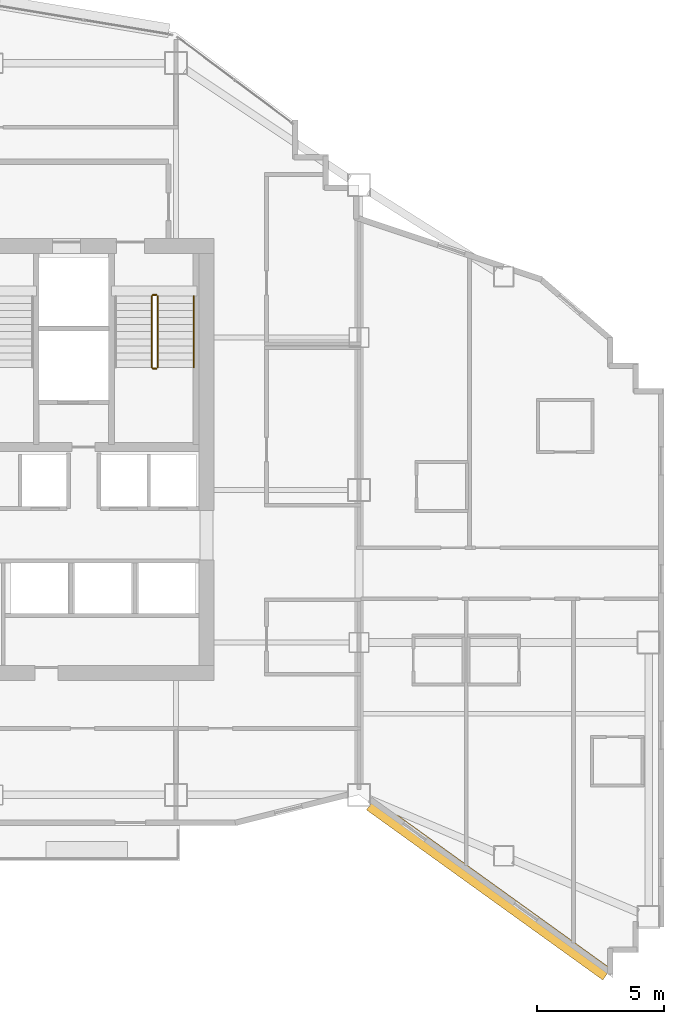
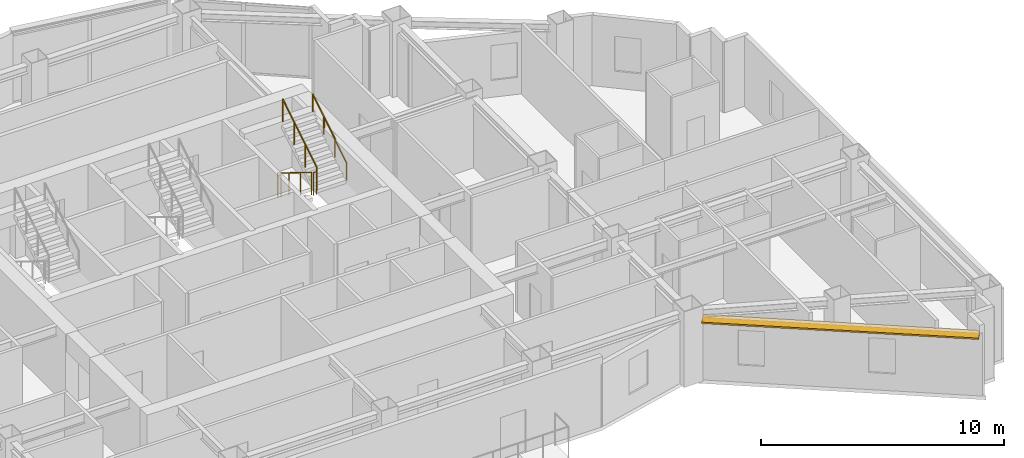
# One storey, part 11 of 12: 5 railings, 1 shading device.
"""IFC4 building model written with IfcOpenShell, lengths in metres."""

from ifc_helpers import new_model, si_unit, direction, frame, origin, origin_2d, place, context, subcontext, project, spatial, rectangle, circle, extrude, material, layer, layer_set, type_object, element, save


model = new_model("IFC4")

# Units and contexts
model_context = context("Model", 3, precision=1e-05, world=origin(), true_north=direction((0.0, 1.0)))
body_context = subcontext(model_context, "Body", "Model", "MODEL_VIEW")
ifc_project = project(units=[si_unit("LENGTHUNIT", "METRE"), si_unit("AREAUNIT", "SQUARE_METRE"), si_unit("VOLUMEUNIT", "CUBIC_METRE"), si_unit("PLANEANGLEUNIT", "RADIAN"), si_unit("MASSUNIT", "GRAM", prefix="KILO")], contexts=[model_context])

# Site, building, storey
site_placement = place(None, origin())
site = spatial("IfcSite", under=ifc_project, at=site_placement, CompositionType="ELEMENT")
building_placement = place(site_placement, origin())
building = spatial("IfcBuilding", under=site, at=building_placement, Name="Haolan Belvedere Tower", CompositionType="ELEMENT")
storey_placement = place(building_placement, frame((0.0, 0.0, 203.199951171875)))
storey = spatial("IfcBuildingStorey", under=building, at=storey_placement, Name="L51", CompositionType="ELEMENT", Elevation=203.199951171875)

# Railings
ifc_material_1 = material(Name="Brushed stainless steel 304", Category="steel")
railing_type_1 = type_object("IfcRailingType", Name="RL-STAIR-GRD-1150", PredefinedType="GUARDRAIL", material=ifc_material_1)
railing_1_placement = place(storey_placement, frame((44.639892578125, 41.22998046875, 0.1728515625)))
element("IfcRailing", 1, at=railing_1_placement, inside=storey, type_object=railing_type_1, Name="L51 ST2 stair guard 1", PredefinedType="GUARDRAIL", context=body_context, shape_type="SweptSolid", body=[
    extrude(circle(Radius=0.02392578125, at=origin_2d()), frame((0.0, 0.0, 1.1259765625), z_axis=(0.0, -0.851089632645, 0.525020415988), x_axis=(1.0, 0.0, 0.0)), (0.0, 0.0, 1.0), 3.2900390625),
    extrude(circle(Radius=0.02099609375, at=origin_2d()), origin(), (0.0, 0.0, 1.0), 1.101806640625),
    extrude(circle(Radius=0.02099609375, at=origin_2d()), frame((0.0, -0.933349609375, 0.57568359375)), (0.0, 0.0, 1.0), 1.101806640625),
    extrude(circle(Radius=0.02099609375, at=origin_2d()), frame((0.0, -1.86669921875, 1.151611328125)), (0.0, 0.0, 1.0), 1.101806640625),
    extrude(circle(Radius=0.02099609375, at=origin_2d()), frame((0.0, -2.800048828125, 1.727294921875)), (0.0, 0.0, 1.0), 1.101806640625),
])
railing_2_placement = place(storey_placement, frame((44.68994140625, 38.3798828125, 1.900146484375)))
element("IfcRailing", 2, at=railing_2_placement, inside=storey, type_object=railing_type_1, Name="L51 ST2 stair guard 2", PredefinedType="GUARDRAIL", context=body_context, shape_type="SweptSolid", body=[
    extrude(circle(Radius=0.02392578125, at=origin_2d()), frame((0.0, 0.0, 1.1259765625), z_axis=(1.0, 0.0, 0.0), x_axis=(0.0, 1.0, 0.0)), (0.0, 0.0, 1.0), 0.14013671875),
    extrude(circle(Radius=0.02099609375, at=origin_2d()), origin(), (0.0, 0.0, 1.0), 1.101806640625),
    extrude(circle(Radius=0.02099609375, at=origin_2d()), frame((0.14013671875, 0.0, 0.0)), (0.0, 0.0, 1.0), 1.101806640625),
])
railing_3_placement = place(storey_placement, frame((44.8798828125, 38.429931640625, 2.07275390625)))
element("IfcRailing", 3, at=railing_3_placement, inside=storey, type_object=railing_type_1, Name="L51 ST2 stair guard 3", PredefinedType="GUARDRAIL", context=body_context, shape_type="SweptSolid", body=[
    extrude(circle(Radius=0.02392578125, at=origin_2d()), frame((0.0, 0.0, 1.1259765625), z_axis=(0.0, 0.851089632645, 0.525020415988), x_axis=(-1.0, 0.0, 0.0)), (0.0, 0.0, 1.0), 3.2900390625),
    extrude(circle(Radius=0.02099609375, at=origin_2d()), origin(), (0.0, 0.0, 1.0), 1.101806640625),
    extrude(circle(Radius=0.02099609375, at=origin_2d()), frame((0.0, 0.933349609375, 0.57568359375)), (0.0, 0.0, 1.0), 1.101806640625),
    extrude(circle(Radius=0.02099609375, at=origin_2d()), frame((0.0, 1.86669921875, 1.151611328125)), (0.0, 0.0, 1.0), 1.101806640625),
    extrude(circle(Radius=0.02099609375, at=origin_2d()), frame((0.0, 2.800048828125, 1.727294921875)), (0.0, 0.0, 1.0), 1.101806640625),
])
railing_4_placement = place(storey_placement, frame((44.68994140625, 41.280029296875, 0.0)))
element("IfcRailing", 4, at=railing_4_placement, inside=storey, type_object=railing_type_1, Name="L51 ST2 stair guard 4", PredefinedType="GUARDRAIL", context=body_context, shape_type="SweptSolid", body=[
    extrude(circle(Radius=0.02392578125, at=origin_2d()), frame((0.0, 0.0, 1.1259765625), z_axis=(1.0, 0.0, 0.0), x_axis=(0.0, 1.0, 0.0)), (0.0, 0.0, 1.0), 0.14013671875),
    extrude(circle(Radius=0.02099609375, at=origin_2d()), origin(), (0.0, 0.0, 1.0), 1.101806640625),
    extrude(circle(Radius=0.02099609375, at=origin_2d()), frame((0.14013671875, 0.0, 0.0)), (0.0, 0.0, 1.0), 1.101806640625),
])
railing_type_2 = type_object("IfcRailingType", Name="RL-STAIR-HND-900", PredefinedType="HANDRAIL", material=ifc_material_1)
railing_5_placement = place(storey_placement, frame((46.300048828125, 38.429931640625, 2.07275390625)))
element("IfcRailing", 5, at=railing_5_placement, inside=storey, type_object=railing_type_2, Name="L51 ST2 stair handrail 2", PredefinedType="HANDRAIL", context=body_context, shape_type="SweptSolid", body=[
    extrude(circle(Radius=0.02392578125, at=origin_2d()), frame((0.0, 0.0, 0.8759765625), z_axis=(0.0, 0.851089632645, 0.525020415988), x_axis=(-1.0, 0.0, 0.0)), (0.0, 0.0, 1.0), 3.2900390625),
    extrude(circle(Radius=0.02099609375, at=origin_2d()), origin(), (0.0, 0.0, 1.0), 0.851806640625),
    extrude(circle(Radius=0.02099609375, at=origin_2d()), frame((0.0, 0.933349609375, 0.57568359375)), (0.0, 0.0, 1.0), 0.851806640625),
    extrude(circle(Radius=0.02099609375, at=origin_2d()), frame((0.0, 1.86669921875, 1.151611328125)), (0.0, 0.0, 1.0), 0.851806640625),
    extrude(circle(Radius=0.02099609375, at=origin_2d()), frame((0.0, 2.800048828125, 1.727294921875)), (0.0, 0.0, 1.0), 0.851806640625),
])

# Shading device
ifc_material_2 = material(Name="Anodised champagne-silver aluminium 6063-T6", Category="aluminium")
ifc_layer = layer(ifc_material_2, 0.080078125, Name="Anodised champagne-silver aluminium 6063-T6")
ifc_layer_set = layer_set([ifc_layer], Name="Anodised champagne-silver aluminium 6063-T6")
shading_device_type = type_object("IfcShadingDeviceType", Name="SHD-SUN-550", PredefinedType="USERDEFINED", material=ifc_layer_set)
shading_device_placement = place(storey_placement, frame((57.906494140625, 17.88623046875, 3.034912109375), z_axis=(0.0, 0.0, 1.0), x_axis=(0.811533191666, -0.584306322766, 0.0)))
element("IfcShadingDevice", 6, at=shading_device_placement, inside=storey, type_object=shading_device_type, Name="L51 pale-metal horizontal SUNSHADE band 3.1", ObjectType="SUNSHADE", PredefinedType="USERDEFINED", context=body_context, shape_type="SweptSolid", body=[
    extrude(rectangle(XDim=11.45703125, YDim=0.550048828125, at=origin_2d()), origin(), (0.0, 0.0, 1.0), 0.080078125),
])

save(model, "model.ifc")
